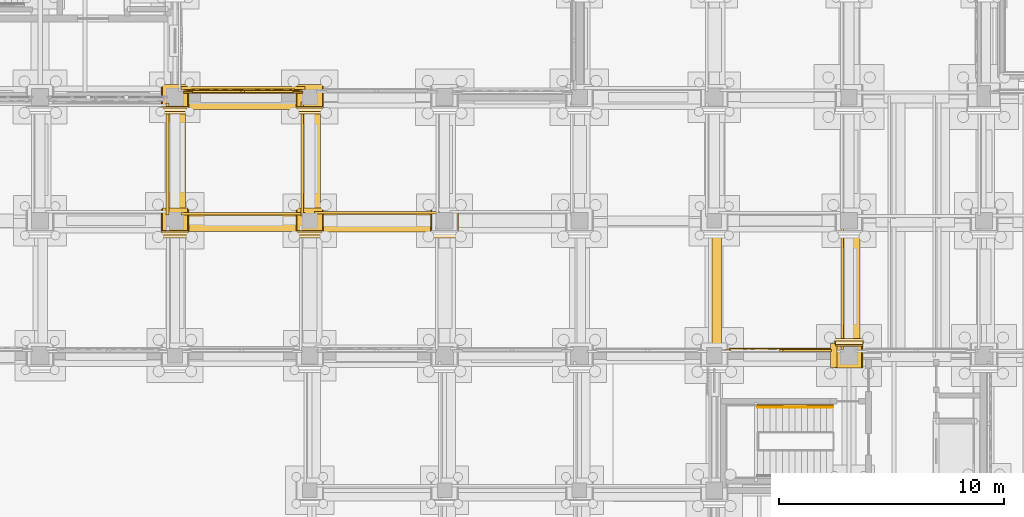
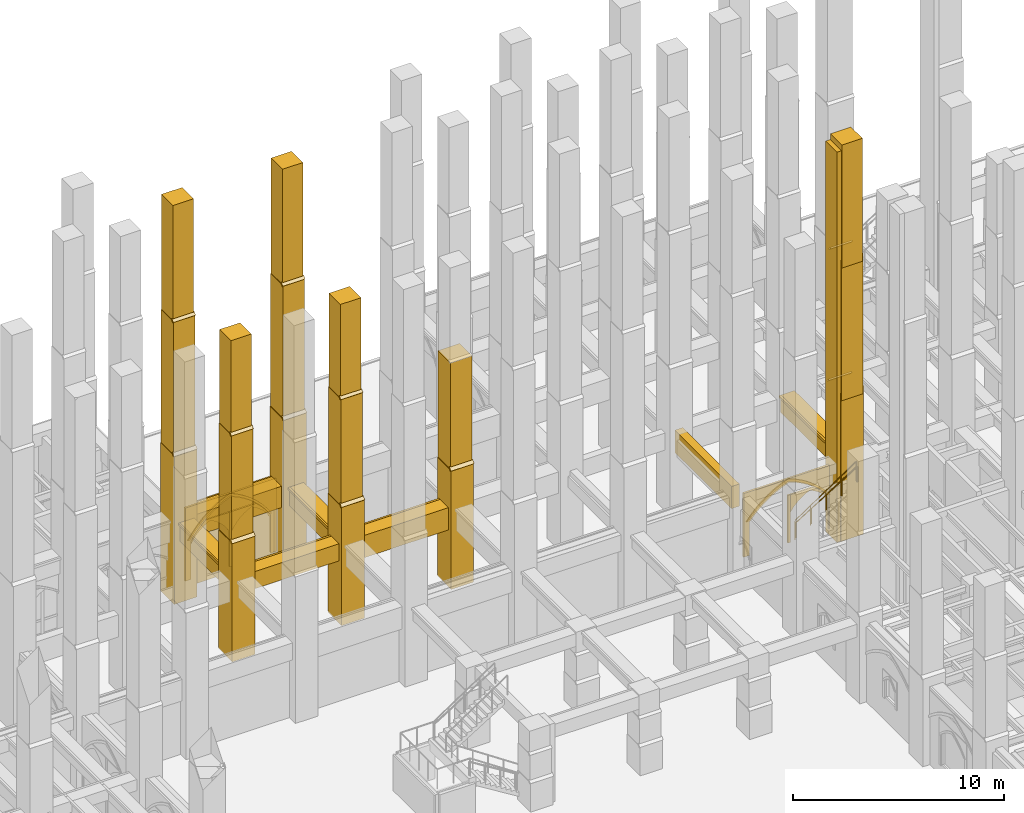
# One storey, part 94 of 135: 52 coverings, 2 railings.
"""IFC4 building model written with IfcOpenShell, lengths in metres."""

from ifc_helpers import new_model, si_unit, direction, frame, origin, origin_2d, place, context, subcontext, project, spatial, polyline, rectangle, circle, outline, extrude, material, type_object, element, save


model = new_model("IFC4")

# Units and contexts
model_context = context("Model", 3, precision=1e-05, world=origin(), true_north=direction((0.0, 1.0)))
body_context = subcontext(model_context, "Body", "Model", "MODEL_VIEW")
ifc_project = project(units=[si_unit("LENGTHUNIT", "METRE"), si_unit("AREAUNIT", "SQUARE_METRE"), si_unit("VOLUMEUNIT", "CUBIC_METRE"), si_unit("PLANEANGLEUNIT", "RADIAN"), si_unit("MASSUNIT", "GRAM", prefix="KILO")], contexts=[model_context])

# Site, building, storey
site_placement = place(None, origin())
site = spatial("IfcSite", under=ifc_project, at=site_placement, CompositionType="ELEMENT")
building_placement = place(site_placement, origin())
building = spatial("IfcBuilding", under=site, at=building_placement, Name="Cumevento Cable Car Station", CompositionType="ELEMENT")
storey_placement = place(building_placement, origin())
storey = spatial("IfcBuildingStorey", under=building, at=storey_placement, Name="L01", CompositionType="ELEMENT", Elevation=0.0)

# Railings
ifc_material_1 = material(Name="Painted Galvanised Architectural Steel", Category="steel")
railing_type_1 = type_object("IfcRailingType", Name="Stair Guardrail GR-S115", PredefinedType="GUARDRAIL", material=ifc_material_1)
railing_1_placement = place(storey_placement, frame((59.919921875, 42.7900390625, 2.25)))
element("IfcRailing", 1, at=railing_1_placement, inside=storey, type_object=railing_type_1, Name="Stair Outer Guardrail ST-01-L01 F2", PredefinedType="GUARDRAIL", context=body_context, shape_type="SweptSolid", body=[
    extrude(circle(Radius=0.02392578125, at=origin_2d()), frame((0.0, 0.0, 1.1259765625), z_axis=(0.830915400975, 0.0, 0.556398774641), x_axis=(0.0, 1.0, 0.0)), (0.0, 0.0, 1.0), 4.0439453125),
    extrude(circle(Radius=0.02001953125, at=origin_2d()), origin(), (0.0, 0.0, 1.0), 1.101806640625),
    extrude(circle(Radius=0.02001953125, at=origin_2d()), frame((0.840087890625, 0.0, 0.5625)), (0.0, 0.0, 1.0), 1.101806640625),
    extrude(circle(Radius=0.02001953125, at=origin_2d()), frame((1.68017578125, 0.0, 1.125)), (0.0, 0.0, 1.0), 1.101806640625),
    extrude(circle(Radius=0.02001953125, at=origin_2d()), frame((2.52001953125, 0.0, 1.6875)), (0.0, 0.0, 1.0), 1.101806640625),
    extrude(circle(Radius=0.02001953125, at=origin_2d()), frame((3.360107421875, 0.0, 2.25)), (0.0, 0.0, 1.0), 1.101806640625),
])
ifc_material_2 = material(Name="Brushed Stainless Steel Handrail Tube", Category="steel")
railing_type_2 = type_object("IfcRailingType", Name="Stair Handrail HR-090", PredefinedType="HANDRAIL", material=ifc_material_2)
railing_2_placement = place(storey_placement, frame((59.919921875, 42.7099609375, 2.42626953125)))
element("IfcRailing", 2, at=railing_2_placement, inside=storey, type_object=railing_type_2, Name="Stair Pitch Handrail ST-01-L01 F2", PredefinedType="HANDRAIL", context=body_context, shape_type="SweptSolid", body=[
    extrude(circle(Radius=0.02099609375, at=origin_2d()), frame((0.0, 0.0, 0.87890625), z_axis=(0.850623216509, 0.0, 0.525775754039), x_axis=(0.0, 1.0, 0.0)), (0.0, 0.0, 1.0), 3.9501953125),
    extrude(circle(Radius=0.01611328125, at=origin_2d()), origin(), (0.0, 0.0, 1.0), 0.85791015625),
    extrude(circle(Radius=0.01611328125, at=origin_2d()), frame((0.840087890625, 0.0, 0.519287109375)), (0.0, 0.0, 1.0), 0.85791015625),
    extrude(circle(Radius=0.01611328125, at=origin_2d()), frame((1.68017578125, 0.0, 1.03857421875)), (0.0, 0.0, 1.0), 0.85791015625),
    extrude(circle(Radius=0.01611328125, at=origin_2d()), frame((2.52001953125, 0.0, 1.5576171875)), (0.0, 0.0, 1.0), 0.85791015625),
    extrude(circle(Radius=0.01611328125, at=origin_2d()), frame((3.360107421875, 0.0, 2.076904296875)), (0.0, 0.0, 1.0), 0.85791015625),
])

# Coverings
ifc_material_3 = material(Name="Gnaisse Facoidal Stone Ashlar 85 MPa", Category="masonry")
covering_type = type_object("IfcCoveringType", Name="Gnaisse Ashlar Cladding CV-CL01", PredefinedType="CLADDING", material=ifc_material_3)
covering_1_placement = place(storey_placement, frame((34.0, 50.909912109375, -0.06005859375), z_axis=(0.0, 0.0, 1.0), x_axis=(1.0, 0.0, 0.0)))
element("IfcCovering", 3, at=covering_1_placement, inside=storey, type_object=covering_type, Name="Stepped Gothic Stone Buttress Tier 1 bt:34.0:51.0", PredefinedType="CLADDING", context=body_context, shape_type="SweptSolid", body=[
    extrude(rectangle(XDim=1.239990234375, YDim=1.300048828125, at=origin_2d()), origin(), (0.0, 0.0, 1.0), 6.885498046875),
])
covering_2_placement = place(storey_placement, frame((33.360107421875, 50.239990234375, 6.8056640625), z_axis=(0.0, -0.711135781079, 0.703054692658), x_axis=(1.0, 0.0, 0.0)))
element("IfcCovering", 4, at=covering_2_placement, inside=storey, type_object=covering_type, Name="Gothic Buttress Sloped Stone Weathering 1 bt:34.0:51.0", PredefinedType="CLADDING", context=body_context, shape_type="SweptSolid", body=[
    extrude(outline(polyline([(0.0, 0.0), (1.27978515625, 0.0), (1.27978515625, 0.24169083397703695), (0.0, 0.24169083397703695), (0.0, 0.0)])), origin(), (0.0, 0.0, -1.0), 0.090087890625),
])
covering_3_placement = place(storey_placement, frame((34.0, 50.969970703125, 6.46337890625), z_axis=(0.0, 0.0, 1.0), x_axis=(1.0, 0.0, 0.0)))
element("IfcCovering", 5, at=covering_3_placement, inside=storey, type_object=covering_type, Name="Stepped Gothic Stone Buttress Tier 2 bt:34.0:51.0", PredefinedType="CLADDING", context=body_context, shape_type="SweptSolid", body=[
    extrude(rectangle(XDim=1.179931640625, YDim=1.179931640625, at=origin_2d()), origin(), (0.0, 0.0, 1.0), 6.523193359375),
])
covering_4_placement = place(storey_placement, frame((33.389892578125, 50.360107421875, 12.96630859375), z_axis=(0.0, -0.714474823669, 0.699661151089), x_axis=(1.0, 0.0, 0.0)))
element("IfcCovering", 6, at=covering_4_placement, inside=storey, type_object=covering_type, Name="Gothic Buttress Sloped Stone Weathering 2 bt:34.0:51.0", PredefinedType="CLADDING", context=body_context, shape_type="SweptSolid", body=[
    extrude(outline(polyline([(0.0, 0.0), (1.22021484375, 0.0), (1.22021484375, 0.21424991728737655), (0.0, 0.21424991728737655), (0.0, 0.0)])), origin(), (0.0, 0.0, -1.0), 0.090087890625),
])
covering_5_placement = place(storey_placement, frame((34.0, 51.02001953125, 12.6240234375), z_axis=(0.0, 0.0, 1.0), x_axis=(1.0, 0.0, 0.0)))
element("IfcCovering", 7, at=covering_5_placement, inside=storey, type_object=covering_type, Name="Stepped Gothic Stone Buttress Tier 3 bt:34.0:51.0", PredefinedType="CLADDING", context=body_context, shape_type="SweptSolid", body=[
    extrude(rectangle(XDim=1.1201171875, YDim=1.080078125, at=origin_2d()), origin(), (0.0, 0.0, 1.0), 5.77587890625),
])
covering_6_placement = place(storey_placement, frame((34.0, 56.409912109375, -0.06005859375), z_axis=(0.0, 0.0, 1.0), x_axis=(1.0, 0.0, 0.0)))
element("IfcCovering", 8, at=covering_6_placement, inside=storey, type_object=covering_type, Name="Stepped Gothic Stone Buttress Tier 1 bt:34.0:56.5", PredefinedType="CLADDING", context=body_context, shape_type="SweptSolid", body=[
    extrude(rectangle(XDim=1.239990234375, YDim=1.300048828125, at=origin_2d()), origin(), (0.0, 0.0, 1.0), 8.595703125),
])
covering_7_placement = place(storey_placement, frame((33.360107421875, 55.739990234375, 8.515625), z_axis=(0.0, -0.711135781079, 0.703054692658), x_axis=(1.0, 0.0, 0.0)))
element("IfcCovering", 9, at=covering_7_placement, inside=storey, type_object=covering_type, Name="Gothic Buttress Sloped Stone Weathering 1 bt:34.0:56.5", PredefinedType="CLADDING", context=body_context, shape_type="SweptSolid", body=[
    extrude(outline(polyline([(0.0, 0.0), (1.27978515625, 0.0), (1.27978515625, 0.24169083397703695), (0.0, 0.24169083397703695), (0.0, 0.0)])), origin(), (0.0, 0.0, -1.0), 0.090087890625),
])
covering_8_placement = place(storey_placement, frame((34.0, 56.469970703125, 8.0830078125), z_axis=(0.0, 0.0, 1.0), x_axis=(1.0, 0.0, 0.0)))
element("IfcCovering", 10, at=covering_8_placement, inside=storey, type_object=covering_type, Name="Stepped Gothic Stone Buttress Tier 2 bt:34.0:56.5", PredefinedType="CLADDING", context=body_context, shape_type="SweptSolid", body=[
    extrude(rectangle(XDim=1.179931640625, YDim=1.179931640625, at=origin_2d()), origin(), (0.0, 0.0, 1.0), 8.143310546875),
])
covering_9_placement = place(storey_placement, frame((33.389892578125, 55.860107421875, 16.206298828125), z_axis=(0.0, -0.714474823669, 0.699661151089), x_axis=(1.0, 0.0, 0.0)))
element("IfcCovering", 11, at=covering_9_placement, inside=storey, type_object=covering_type, Name="Gothic Buttress Sloped Stone Weathering 2 bt:34.0:56.5", PredefinedType="CLADDING", context=body_context, shape_type="SweptSolid", body=[
    extrude(outline(polyline([(0.0, 0.0), (1.22021484375, 0.0), (1.22021484375, 0.21424991728737655), (0.0, 0.21424991728737655), (0.0, 0.0)])), origin(), (0.0, 0.0, -1.0), 0.090087890625),
])
covering_10_placement = place(storey_placement, frame((34.0, 56.52001953125, 15.77392578125), z_axis=(0.0, 0.0, 1.0), x_axis=(1.0, 0.0, 0.0)))
element("IfcCovering", 12, at=covering_10_placement, inside=storey, type_object=covering_type, Name="Stepped Gothic Stone Buttress Tier 3 bt:34.0:56.5", PredefinedType="CLADDING", context=body_context, shape_type="SweptSolid", body=[
    extrude(rectangle(XDim=1.1201171875, YDim=1.080078125, at=origin_2d()), origin(), (0.0, 0.0, 1.0), 7.1259765625),
])
covering_11_placement = place(storey_placement, frame((40.0, 50.909912109375, -0.06005859375), z_axis=(0.0, 0.0, 1.0), x_axis=(1.0, 0.0, 0.0)))
element("IfcCovering", 13, at=covering_11_placement, inside=storey, type_object=covering_type, Name="Stepped Gothic Stone Buttress Tier 1 bt:40.0:51.0", PredefinedType="CLADDING", context=body_context, shape_type="SweptSolid", body=[
    extrude(rectangle(XDim=1.239990234375, YDim=1.300048828125, at=origin_2d()), origin(), (0.0, 0.0, 1.0), 6.885498046875),
])
covering_12_placement = place(storey_placement, frame((39.360107421875, 50.239990234375, 6.8056640625), z_axis=(0.0, -0.711135781079, 0.703054692658), x_axis=(1.0, 0.0, 0.0)))
element("IfcCovering", 14, at=covering_12_placement, inside=storey, type_object=covering_type, Name="Gothic Buttress Sloped Stone Weathering 1 bt:40.0:51.0", PredefinedType="CLADDING", context=body_context, shape_type="SweptSolid", body=[
    extrude(outline(polyline([(0.0, 0.0), (1.27978515625, 0.0), (1.27978515625, 0.24169083397703695), (0.0, 0.24169083397703695), (0.0, 0.0)])), origin(), (0.0, 0.0, -1.0), 0.090087890625),
])
covering_13_placement = place(storey_placement, frame((40.0, 50.969970703125, 6.46337890625), z_axis=(0.0, 0.0, 1.0), x_axis=(1.0, 0.0, 0.0)))
element("IfcCovering", 15, at=covering_13_placement, inside=storey, type_object=covering_type, Name="Stepped Gothic Stone Buttress Tier 2 bt:40.0:51.0", PredefinedType="CLADDING", context=body_context, shape_type="SweptSolid", body=[
    extrude(rectangle(XDim=1.179931640625, YDim=1.179931640625, at=origin_2d()), origin(), (0.0, 0.0, 1.0), 6.523193359375),
])
covering_14_placement = place(storey_placement, frame((39.389892578125, 50.360107421875, 12.96630859375), z_axis=(0.0, -0.714474823669, 0.699661151089), x_axis=(1.0, 0.0, 0.0)))
element("IfcCovering", 16, at=covering_14_placement, inside=storey, type_object=covering_type, Name="Gothic Buttress Sloped Stone Weathering 2 bt:40.0:51.0", PredefinedType="CLADDING", context=body_context, shape_type="SweptSolid", body=[
    extrude(outline(polyline([(0.0, 0.0), (1.22021484375, 0.0), (1.22021484375, 0.21424991728737655), (0.0, 0.21424991728737655), (0.0, 0.0)])), origin(), (0.0, 0.0, -1.0), 0.090087890625),
])
covering_15_placement = place(storey_placement, frame((40.0, 51.02001953125, 12.6240234375), z_axis=(0.0, 0.0, 1.0), x_axis=(1.0, 0.0, 0.0)))
element("IfcCovering", 17, at=covering_15_placement, inside=storey, type_object=covering_type, Name="Stepped Gothic Stone Buttress Tier 3 bt:40.0:51.0", PredefinedType="CLADDING", context=body_context, shape_type="SweptSolid", body=[
    extrude(rectangle(XDim=1.1201171875, YDim=1.080078125, at=origin_2d()), origin(), (0.0, 0.0, 1.0), 5.77587890625),
])
covering_16_placement = place(storey_placement, frame((40.0, 56.409912109375, -0.06005859375), z_axis=(0.0, 0.0, 1.0), x_axis=(1.0, 0.0, 0.0)))
element("IfcCovering", 18, at=covering_16_placement, inside=storey, type_object=covering_type, Name="Stepped Gothic Stone Buttress Tier 1 bt:40.0:56.5", PredefinedType="CLADDING", context=body_context, shape_type="SweptSolid", body=[
    extrude(rectangle(XDim=1.239990234375, YDim=1.300048828125, at=origin_2d()), origin(), (0.0, 0.0, 1.0), 8.595703125),
])
covering_17_placement = place(storey_placement, frame((39.360107421875, 55.739990234375, 8.515625), z_axis=(0.0, -0.711135781079, 0.703054692658), x_axis=(1.0, 0.0, 0.0)))
element("IfcCovering", 19, at=covering_17_placement, inside=storey, type_object=covering_type, Name="Gothic Buttress Sloped Stone Weathering 1 bt:40.0:56.5", PredefinedType="CLADDING", context=body_context, shape_type="SweptSolid", body=[
    extrude(outline(polyline([(0.0, 0.0), (1.27978515625, 0.0), (1.27978515625, 0.24169083397703695), (0.0, 0.24169083397703695), (0.0, 0.0)])), origin(), (0.0, 0.0, -1.0), 0.090087890625),
])
covering_18_placement = place(storey_placement, frame((40.0, 56.469970703125, 8.0830078125), z_axis=(0.0, 0.0, 1.0), x_axis=(1.0, 0.0, 0.0)))
element("IfcCovering", 20, at=covering_18_placement, inside=storey, type_object=covering_type, Name="Stepped Gothic Stone Buttress Tier 2 bt:40.0:56.5", PredefinedType="CLADDING", context=body_context, shape_type="SweptSolid", body=[
    extrude(rectangle(XDim=1.179931640625, YDim=1.179931640625, at=origin_2d()), origin(), (0.0, 0.0, 1.0), 8.143310546875),
])
covering_19_placement = place(storey_placement, frame((39.389892578125, 55.860107421875, 16.206298828125), z_axis=(0.0, -0.714474823669, 0.699661151089), x_axis=(1.0, 0.0, 0.0)))
element("IfcCovering", 21, at=covering_19_placement, inside=storey, type_object=covering_type, Name="Gothic Buttress Sloped Stone Weathering 2 bt:40.0:56.5", PredefinedType="CLADDING", context=body_context, shape_type="SweptSolid", body=[
    extrude(outline(polyline([(0.0, 0.0), (1.22021484375, 0.0), (1.22021484375, 0.21424991728737655), (0.0, 0.21424991728737655), (0.0, 0.0)])), origin(), (0.0, 0.0, -1.0), 0.090087890625),
])
covering_20_placement = place(storey_placement, frame((40.0, 56.52001953125, 15.77392578125), z_axis=(0.0, 0.0, 1.0), x_axis=(1.0, 0.0, 0.0)))
element("IfcCovering", 22, at=covering_20_placement, inside=storey, type_object=covering_type, Name="Stepped Gothic Stone Buttress Tier 3 bt:40.0:56.5", PredefinedType="CLADDING", context=body_context, shape_type="SweptSolid", body=[
    extrude(rectangle(XDim=1.1201171875, YDim=1.080078125, at=origin_2d()), origin(), (0.0, 0.0, 1.0), 7.1259765625),
])
covering_21_placement = place(storey_placement, frame((46.0, 50.909912109375, -0.06005859375), z_axis=(0.0, 0.0, 1.0), x_axis=(1.0, 0.0, 0.0)))
element("IfcCovering", 23, at=covering_21_placement, inside=storey, type_object=covering_type, Name="Stepped Gothic Stone Buttress Tier 1 bt:46.0:51.0", PredefinedType="CLADDING", context=body_context, shape_type="SweptSolid", body=[
    extrude(rectangle(XDim=1.239990234375, YDim=1.300048828125, at=origin_2d()), origin(), (0.0, 0.0, 1.0), 6.885498046875),
])
covering_22_placement = place(storey_placement, frame((45.360107421875, 50.239990234375, 6.8056640625), z_axis=(0.0, -0.711135781079, 0.703054692658), x_axis=(1.0, 0.0, 0.0)))
element("IfcCovering", 24, at=covering_22_placement, inside=storey, type_object=covering_type, Name="Gothic Buttress Sloped Stone Weathering 1 bt:46.0:51.0", PredefinedType="CLADDING", context=body_context, shape_type="SweptSolid", body=[
    extrude(outline(polyline([(0.0, 0.0), (1.27978515625, 0.0), (1.27978515625, 0.24169083397703695), (0.0, 0.24169083397703695), (0.0, 0.0)])), origin(), (0.0, 0.0, -1.0), 0.090087890625),
])
covering_23_placement = place(storey_placement, frame((46.0, 50.969970703125, 6.46337890625), z_axis=(0.0, 0.0, 1.0), x_axis=(1.0, 0.0, 0.0)))
element("IfcCovering", 25, at=covering_23_placement, inside=storey, type_object=covering_type, Name="Stepped Gothic Stone Buttress Tier 2 bt:46.0:51.0", PredefinedType="CLADDING", context=body_context, shape_type="SweptSolid", body=[
    extrude(rectangle(XDim=1.179931640625, YDim=1.179931640625, at=origin_2d()), origin(), (0.0, 0.0, 1.0), 6.523193359375),
])
covering_24_placement = place(storey_placement, frame((64.0, 45.090087890625, -0.06005859375), z_axis=(0.0, 0.0, 1.0), x_axis=(-1.0, 0.0, 0.0)))
element("IfcCovering", 26, at=covering_24_placement, inside=storey, type_object=covering_type, Name="Stepped Gothic Stone Buttress Tier 1 bt:64.0:45.0", PredefinedType="CLADDING", context=body_context, shape_type="SweptSolid", body=[
    extrude(rectangle(XDim=1.239990234375, YDim=1.300048828125, at=origin_2d()), origin(), (0.0, 0.0, 1.0), 8.595703125),
])
covering_25_placement = place(storey_placement, frame((64.639892578125, 45.760009765625, 8.515625), z_axis=(0.0, 0.711135781079, 0.703054692658), x_axis=(-1.0, 0.0, 0.0)))
element("IfcCovering", 27, at=covering_25_placement, inside=storey, type_object=covering_type, Name="Gothic Buttress Sloped Stone Weathering 1 bt:64.0:45.0", PredefinedType="CLADDING", context=body_context, shape_type="SweptSolid", body=[
    extrude(outline(polyline([(0.0, 0.0), (1.27978515625, 0.0), (1.27978515625, 0.24169083397703695), (0.0, 0.24169083397703695), (0.0, 0.0)])), origin(), (0.0, 0.0, -1.0), 0.090087890625),
])
covering_26_placement = place(storey_placement, frame((64.0, 45.030029296875, 8.0830078125), z_axis=(0.0, 0.0, 1.0), x_axis=(-1.0, 0.0, 0.0)))
element("IfcCovering", 28, at=covering_26_placement, inside=storey, type_object=covering_type, Name="Stepped Gothic Stone Buttress Tier 2 bt:64.0:45.0", PredefinedType="CLADDING", context=body_context, shape_type="SweptSolid", body=[
    extrude(rectangle(XDim=1.179931640625, YDim=1.179931640625, at=origin_2d()), origin(), (0.0, 0.0, 1.0), 8.143310546875),
])
covering_27_placement = place(storey_placement, frame((64.610107421875, 45.639892578125, 16.206298828125), z_axis=(0.0, 0.714474823669, 0.699661151089), x_axis=(-1.0, 0.0, 0.0)))
element("IfcCovering", 29, at=covering_27_placement, inside=storey, type_object=covering_type, Name="Gothic Buttress Sloped Stone Weathering 2 bt:64.0:45.0", PredefinedType="CLADDING", context=body_context, shape_type="SweptSolid", body=[
    extrude(outline(polyline([(0.0, 0.0), (1.22021484375, 0.0), (1.22021484375, 0.21424991728737655), (0.0, 0.21424991728737655), (0.0, 0.0)])), origin(), (0.0, 0.0, -1.0), 0.090087890625),
])
covering_28_placement = place(storey_placement, frame((64.0, 44.97998046875, 15.77392578125), z_axis=(0.0, 0.0, 1.0), x_axis=(-1.0, 0.0, 0.0)))
element("IfcCovering", 30, at=covering_28_placement, inside=storey, type_object=covering_type, Name="Stepped Gothic Stone Buttress Tier 3 bt:64.0:45.0", PredefinedType="CLADDING", context=body_context, shape_type="SweptSolid", body=[
    extrude(rectangle(XDim=1.1201171875, YDim=1.080078125, at=origin_2d()), origin(), (0.0, 0.0, 1.0), 7.1259765625),
])
covering_29_placement = place(storey_placement, frame((63.320068359375, 45.0, -0.06005859375), z_axis=(0.0, 0.0, 1.0), x_axis=(1.0, 0.0, 0.0)))
element("IfcCovering", 31, at=covering_29_placement, inside=storey, type_object=covering_type, Name="Corner Buttress Stone Return (64.0,45.0)", PredefinedType="CLADDING", context=body_context, shape_type="SweptSolid", body=[
    extrude(rectangle(XDim=0.280029296875, YDim=1.080078125, at=origin_2d()), origin(), (0.0, 0.0, 1.0), 22.6201171875),
])
covering_30_placement = place(storey_placement, frame((37.02490234375, 50.89990234375, 3.5400390625), z_axis=(0.0, 0.0, 1.0), x_axis=(1.0, 0.0, 0.0)))
element("IfcCovering", 32, at=covering_30_placement, inside=storey, type_object=covering_type, Name="Gothic Stone Spandrel Stringcourse sc:0083", PredefinedType="CLADDING", context=body_context, shape_type="SweptSolid", body=[
    extrude(rectangle(XDim=5.489990234375, YDim=0.760009765625, at=origin_2d()), origin(), (0.0, 0.0, 1.0), 0.989990234375),
])
covering_31_placement = place(storey_placement, frame((37.02490234375, 51.3076171875, 4.400146484375), z_axis=(0.0, 0.0, 1.0), x_axis=(1.0, 0.0, 0.0)))
element("IfcCovering", 33, at=covering_31_placement, inside=storey, type_object=covering_type, Name="Gothic Cornice Dripstone Lip sc:0083", PredefinedType="CLADDING", context=body_context, shape_type="SweptSolid", body=[
    extrude(rectangle(XDim=5.530029296875, YDim=0.114990234375, at=origin_2d()), origin(), (0.0, 0.0, 1.0), 0.1298828125),
])
covering_32_placement = place(storey_placement, frame((42.987548828125, 50.919921875, 3.239990234375), z_axis=(0.0, 0.0, 1.0), x_axis=(1.0, 0.0, 0.0)))
element("IfcCovering", 34, at=covering_32_placement, inside=storey, type_object=covering_type, Name="Gothic Stone Spandrel Stringcourse sc:0084", PredefinedType="CLADDING", context=body_context, shape_type="SweptSolid", body=[
    extrude(rectangle(XDim=5.514892578125, YDim=0.820068359375, at=origin_2d()), origin(), (0.0, 0.0, 1.0), 1.2900390625),
])
covering_33_placement = place(storey_placement, frame((42.987548828125, 51.357421875, 4.400146484375), z_axis=(0.0, 0.0, 1.0), x_axis=(1.0, 0.0, 0.0)))
element("IfcCovering", 35, at=covering_33_placement, inside=storey, type_object=covering_type, Name="Gothic Cornice Dripstone Lip sc:0084", PredefinedType="CLADDING", context=body_context, shape_type="SweptSolid", body=[
    extrude(rectangle(XDim=5.554931640625, YDim=0.114990234375, at=origin_2d()), origin(), (0.0, 0.0, 1.0), 0.1298828125),
])
covering_34_placement = place(storey_placement, frame((37.02490234375, 56.419921875, 3.328125), z_axis=(0.0, 0.0, 1.0), x_axis=(1.0, 0.0, 0.0)))
element("IfcCovering", 36, at=covering_34_placement, inside=storey, type_object=covering_type, Name="Gothic Stone Spandrel Stringcourse sc:0088", PredefinedType="CLADDING", context=body_context, shape_type="SweptSolid", body=[
    extrude(rectangle(XDim=5.489990234375, YDim=0.919921875, at=origin_2d()), origin(), (0.0, 0.0, 1.0), 1.239990234375),
])
covering_35_placement = place(storey_placement, frame((37.02490234375, 56.907470703125, 4.43798828125), z_axis=(0.0, 0.0, 1.0), x_axis=(1.0, 0.0, 0.0)))
element("IfcCovering", 37, at=covering_35_placement, inside=storey, type_object=covering_type, Name="Gothic Cornice Dripstone Lip sc:0088", PredefinedType="CLADDING", context=body_context, shape_type="SweptSolid", body=[
    extrude(rectangle(XDim=5.530029296875, YDim=0.114990234375, at=origin_2d()), origin(), (0.0, 0.0, 1.0), 0.1298828125),
])
covering_36_placement = place(storey_placement, frame((34.08740234375, 53.75, 3.47802734375), z_axis=(0.0, 0.0, 1.0), x_axis=(0.0, 1.0, 0.0)))
element("IfcCovering", 38, at=covering_36_placement, inside=storey, type_object=covering_type, Name="Gothic Stone Spandrel Stringcourse sc:0096", PredefinedType="CLADDING", context=body_context, shape_type="SweptSolid", body=[
    extrude(rectangle(XDim=4.93994140625, YDim=0.784912109375, at=origin_2d()), origin(), (0.0, 0.0, 1.0), 1.090087890625),
])
covering_37_placement = place(storey_placement, frame((33.66748046875, 53.75, 4.43798828125), z_axis=(0.0, 0.0, 1.0), x_axis=(0.0, 1.0, 0.0)))
element("IfcCovering", 39, at=covering_37_placement, inside=storey, type_object=covering_type, Name="Gothic Cornice Dripstone Lip sc:0096", PredefinedType="CLADDING", context=body_context, shape_type="SweptSolid", body=[
    extrude(rectangle(XDim=4.97998046875, YDim=0.114990234375, at=origin_2d()), origin(), (0.0, 0.0, 1.0), 0.1298828125),
])
covering_38_placement = place(storey_placement, frame((40.08740234375, 53.75, 3.43994140625), z_axis=(0.0, 0.0, 1.0), x_axis=(0.0, 1.0, 0.0)))
element("IfcCovering", 40, at=covering_38_placement, inside=storey, type_object=covering_type, Name="Gothic Stone Spandrel Stringcourse sc:0098", PredefinedType="CLADDING", context=body_context, shape_type="SweptSolid", body=[
    extrude(rectangle(XDim=5.0400390625, YDim=0.784912109375, at=origin_2d()), origin(), (0.0, 0.0, 1.0), 1.090087890625),
])
covering_39_placement = place(storey_placement, frame((39.66748046875, 53.75, 4.400146484375), z_axis=(0.0, 0.0, 1.0), x_axis=(0.0, 1.0, 0.0)))
element("IfcCovering", 41, at=covering_39_placement, inside=storey, type_object=covering_type, Name="Gothic Cornice Dripstone Lip sc:0098", PredefinedType="CLADDING", context=body_context, shape_type="SweptSolid", body=[
    extrude(rectangle(XDim=5.080078125, YDim=0.114990234375, at=origin_2d()), origin(), (0.0, 0.0, 1.0), 0.1298828125),
])
covering_40_placement = place(storey_placement, frame((58.114990234375, 48.012451171875, 3.22998046875), z_axis=(0.0, 0.0, 1.0), x_axis=(0.0, 1.0, 0.0)))
element("IfcCovering", 42, at=covering_40_placement, inside=storey, type_object=covering_type, Name="Gothic Stone Spandrel Stringcourse sc:0114", PredefinedType="CLADDING", context=body_context, shape_type="SweptSolid", body=[
    extrude(rectangle(XDim=5.385009765625, YDim=0.429931640625, at=origin_2d()), origin(), (0.0, 0.0, 1.0), 1.2900390625),
])
covering_41_placement = place(storey_placement, frame((64.10009765625, 48.012451171875, 3.5), z_axis=(0.0, 0.0, 1.0), x_axis=(0.0, 1.0, 0.0)))
element("IfcCovering", 43, at=covering_41_placement, inside=storey, type_object=covering_type, Name="Gothic Stone Spandrel Stringcourse sc:0116", PredefinedType="CLADDING", context=body_context, shape_type="SweptSolid", body=[
    extrude(rectangle(XDim=5.465087890625, YDim=0.760009765625, at=origin_2d()), origin(), (0.0, 0.0, 1.0), 0.989990234375),
])
covering_42_placement = place(storey_placement, frame((63.6923828125, 48.012451171875, 4.360107421875), z_axis=(0.0, 0.0, 1.0), x_axis=(0.0, 1.0, 0.0)))
element("IfcCovering", 44, at=covering_42_placement, inside=storey, type_object=covering_type, Name="Gothic Cornice Dripstone Lip sc:0116", PredefinedType="CLADDING", context=body_context, shape_type="SweptSolid", body=[
    extrude(rectangle(XDim=5.5048828125, YDim=0.114990234375, at=origin_2d()), origin(), (0.0, 0.0, 1.0), 0.1298828125),
])
covering_43_placement = place(storey_placement, frame((34.39990234375, 56.5, 0.0), z_axis=(0.0, 0.0, 1.0), x_axis=(1.0, 0.0, 0.0)))
element("IfcCovering", 45, at=covering_43_placement, inside=storey, type_object=covering_type, Name="Exterior Gnaisse Stone Wall Ashlar #16", PredefinedType="CLADDING", context=body_context, shape_type="SweptSolid", body=[
    extrude(outline(polyline([(-0.0400390625, -0.02001953125), (5.2900390625, -0.02001953125), (5.2900390625, 4.52001953125), (-0.0400390625, 4.52001953125), (-0.0400390625, -0.02001953125)])), frame((0.0, 0.262451171875, 0.0), z_axis=(0.0, -1.0, 0.0), x_axis=(1.0, 0.0, 0.0)), (0.0, 0.0, 1.0), 0.0849609375),
])
placement_1 = place(storey_placement, frame((34.580078125, 56.5, 0.300048828125), z_axis=(0.0, 0.0, 1.0), x_axis=(1.0, 0.0, 0.0)))
element("IfcCovering", 46, at=placement_1, inside=storey, type_object=covering_type, Name="Gothic Ogival Pointed-Arch Stone Spandrel blind_ogival:0016", PredefinedType="CLADDING", context=body_context, shape_type="SweptSolid", body=[
    extrude(outline(polyline([(-0.050048828125, 0.0), (-0.050048828125, 4.239990234375), (4.93994140625, 4.239990234375), (4.93994140625, 0.0), (4.6298828125, 0.0), (4.6298828125, 2.219970703125), (4.394287109375, 2.556884765625), (4.12939453125, 2.871337890625), (3.8369140625, 3.160400390625), (3.51953125, 3.421630859375), (3.179931640625, 3.6533203125), (2.82080078125, 3.853271484375), (2.445068359375, 4.02001953125), (2.069091796875, 3.853271484375), (1.7099609375, 3.6533203125), (1.370361328125, 3.421630859375), (1.052978515625, 3.160400390625), (0.760498046875, 2.871337890625), (0.49560546875, 2.556884765625), (0.260009765625, 2.219970703125), (0.260009765625, 0.0), (-0.050048828125, 0.0)])), frame((0.0, 0.3173828125, 0.0), z_axis=(0.0, -1.0, 0.0), x_axis=(1.0, 0.0, 0.0)), (0.0, 0.0, 1.0), 0.110107421875),
])
covering_45_placement = place(storey_placement, frame((34.580078125, 56.5, 2.52001953125), z_axis=(0.0, 0.0, 1.0), x_axis=(1.0, 0.0, 0.0)))
element("IfcCovering", 47, at=covering_45_placement, inside=storey, type_object=covering_type, Name="Gothic Pointed Archivolt Hood Moulding blind_ogival:0016", PredefinedType="CLADDING", context=body_context, shape_type="SweptSolid", body=[
    extrude(outline(polyline([(0.260009765625, 0.0), (0.49560546875, 0.3369140625), (0.760498046875, 0.6513671875), (1.052978515625, 0.9404296875), (1.370361328125, 1.20166015625), (1.7099609375, 1.433349609375), (2.069091796875, 1.63330078125), (2.445068359375, 1.800048828125), (2.82080078125, 1.63330078125), (3.179931640625, 1.433349609375), (3.51953125, 1.20166015625), (3.8369140625, 0.9404296875), (4.12939453125, 0.6513671875), (4.394287109375, 0.3369140625), (4.6298828125, 0.0), (4.7509765625, 0.0), (4.506103515625, 0.3642578125), (4.228759765625, 0.70458984375), (3.921142578125, 1.017822265625), (3.5859375, 1.301513671875), (3.226318359375, 1.552978515625), (2.8447265625, 1.77001953125), (2.445068359375, 1.951171875), (2.045166015625, 1.77001953125), (1.66357421875, 1.552978515625), (1.303955078125, 1.301513671875), (0.96875, 1.017822265625), (0.6611328125, 0.70458984375), (0.3837890625, 0.3642578125), (0.138916015625, 0.0), (0.260009765625, 0.0)])), frame((0.0, 0.359619140625, 0.0), z_axis=(0.0, -1.0, 0.0), x_axis=(1.0, 0.0, 0.0)), (0.0, 0.0, 1.0), 0.06689453125),
])
element("IfcCovering", 48, at=placement_1, inside=storey, type_object=covering_type, Name="Gothic Bifora Stone Colonnette blind_ogival:0016 #1", PredefinedType="CLADDING", context=body_context, shape_type="SweptSolid", body=[
    extrude(outline(polyline([(2.3701171875, -0.02001953125), (2.52001953125, -0.02001953125), (2.52001953125, 3.156005859375), (2.3701171875, 3.156005859375), (2.3701171875, -0.02001953125)])), frame((0.0, 0.305419921875, 0.0), z_axis=(0.0, -1.0, 0.0), x_axis=(1.0, 0.0, 0.0)), (0.0, 0.0, 1.0), 0.094970703125),
])
for number, where, z_axis, x_axis, name in (
    (49, (34.81005859375, 56.5, 2.340087890625), (0.0, 0.0, 1.0), (1.0, 0.0, 0.0), "Gothic Ogival Pointed-Arch Stone Spandrel blind_ogival:0016:sub:0"),
    (50, (37.070068359375, 56.5, 2.340087890625), (0.0, 0.0, 1.0), (1.0, 0.0, 0.0), "Gothic Ogival Pointed-Arch Stone Spandrel blind_ogival:0016:sub:1"),
):
    element("IfcCovering", number, at=place(storey_placement, frame(where, z_axis=z_axis, x_axis=x_axis)), inside=storey, type_object=covering_type, Name=name, PredefinedType="CLADDING", context=body_context, shape_type="SweptSolid", body=[
        extrude(outline(polyline([(-0.02001953125, 0.0), (-0.02001953125, 1.115966796875), (2.18994140625, 1.115966796875), (2.18994140625, 0.0), (2.1298828125, 0.0), (2.008544921875, 0.21337890625), (1.863037109375, 0.4111328125), (1.695556640625, 0.59033203125), (1.50830078125, 0.7490234375), (1.3037109375, 0.885009765625), (1.0849609375, 0.99609375), (0.8662109375, 0.885009765625), (0.66162109375, 0.7490234375), (0.474365234375, 0.59033203125), (0.306884765625, 0.4111328125), (0.161376953125, 0.21337890625), (0.0400390625, 0.0), (-0.02001953125, 0.0)])), frame((0.0, 0.301513671875, 0.0), z_axis=(0.0, -1.0, 0.0), x_axis=(1.0, 0.0, 0.0)), (0.0, 0.0, 1.0), 0.090087890625),
    ])
placement_2 = place(storey_placement, frame((58.530029296875, 45.0, 0.300048828125), z_axis=(0.0, 0.0, 1.0), x_axis=(1.0, 0.0, 0.0)))
element("IfcCovering", 51, at=placement_2, inside=storey, type_object=covering_type, Name="Gothic Ogival Pointed-Arch Stone Spandrel blind_ogival:0136", PredefinedType="CLADDING", context=body_context, shape_type="SweptSolid", body=[
    extrude(outline(polyline([(-0.050048828125, 0.0), (-0.050048828125, 3.697998046875), (4.93994140625, 3.697998046875), (4.93994140625, 0.0), (4.6298828125, 0.0), (4.6298828125, 1.91650390625), (4.377685546875, 2.21240234375), (4.102294921875, 2.48681640625), (3.805419921875, 2.738037109375), (3.489013671875, 2.964111328125), (3.155517578125, 3.16357421875), (2.806640625, 3.335205078125), (2.445068359375, 3.47802734375), (2.083251953125, 3.335205078125), (1.734375, 3.16357421875), (1.40087890625, 2.964111328125), (1.08447265625, 2.738037109375), (0.78759765625, 2.48681640625), (0.51220703125, 2.21240234375), (0.260009765625, 1.91650390625), (0.260009765625, 0.0), (-0.050048828125, 0.0)])), frame((0.0, 0.277587890625, 0.0), z_axis=(0.0, -1.0, 0.0), x_axis=(1.0, 0.0, 0.0)), (0.0, 0.0, 1.0), 0.110107421875),
])
covering_48_placement = place(storey_placement, frame((58.530029296875, 45.0, 2.216552734375), z_axis=(0.0, 0.0, 1.0), x_axis=(1.0, 0.0, 0.0)))
element("IfcCovering", 52, at=covering_48_placement, inside=storey, type_object=covering_type, Name="Gothic Pointed Archivolt Hood Moulding blind_ogival:0136", PredefinedType="CLADDING", context=body_context, shape_type="SweptSolid", body=[
    extrude(outline(polyline([(0.260009765625, 0.0), (0.51220703125, 0.2958984375), (0.78759765625, 0.5703125), (1.08447265625, 0.821533203125), (1.40087890625, 1.047607421875), (1.734375, 1.2470703125), (2.083251953125, 1.418701171875), (2.445068359375, 1.5615234375), (2.806640625, 1.418701171875), (3.155517578125, 1.2470703125), (3.489013671875, 1.047607421875), (3.805419921875, 0.821533203125), (4.102294921875, 0.5703125), (4.377685546875, 0.2958984375), (4.6298828125, 0.0), (4.7509765625, 0.0), (4.4892578125, 0.323486328125), (4.201171875, 0.6240234375), (3.88916015625, 0.8994140625), (3.554931640625, 1.147705078125), (3.201171875, 1.366943359375), (2.830322265625, 1.5556640625), (2.445068359375, 1.712646484375), (2.0595703125, 1.5556640625), (1.688720703125, 1.366943359375), (1.3349609375, 1.147705078125), (1.000732421875, 0.8994140625), (0.688720703125, 0.6240234375), (0.400634765625, 0.323486328125), (0.138916015625, 0.0), (0.260009765625, 0.0)])), frame((0.0, 0.319580078125, 0.0), z_axis=(0.0, -1.0, 0.0), x_axis=(1.0, 0.0, 0.0)), (0.0, 0.0, 1.0), 0.06689453125),
])
element("IfcCovering", 53, at=placement_2, inside=storey, type_object=covering_type, Name="Gothic Bifora Stone Colonnette blind_ogival:0136 #1", PredefinedType="CLADDING", context=body_context, shape_type="SweptSolid", body=[
    extrude(outline(polyline([(2.3701171875, -0.02001953125), (2.52001953125, -0.02001953125), (2.52001953125, 2.728515625), (2.3701171875, 2.728515625), (2.3701171875, -0.02001953125)])), frame((0.0, 0.265380859375, 0.0), z_axis=(0.0, -1.0, 0.0), x_axis=(1.0, 0.0, 0.0)), (0.0, 0.0, 1.0), 0.094970703125),
])
covering_50_placement = place(storey_placement, frame((61.02001953125, 45.0, 2.03662109375), z_axis=(0.0, 0.0, 1.0), x_axis=(1.0, 0.0, 0.0)))
element("IfcCovering", 54, at=covering_50_placement, inside=storey, type_object=covering_type, Name="Gothic Ogival Pointed-Arch Stone Spandrel blind_ogival:0136:sub:1", PredefinedType="CLADDING", context=body_context, shape_type="SweptSolid", body=[
    extrude(outline(polyline([(-0.02001953125, 0.0), (-0.02001953125, 0.991943359375), (2.18994140625, 0.991943359375), (2.18994140625, 0.0), (2.1298828125, 0.0), (1.998046875, 0.189208984375), (1.8466796875, 0.36328125), (1.677734375, 0.520263671875), (1.4931640625, 0.658447265625), (1.294677734375, 0.776123046875), (1.0849609375, 0.8720703125), (0.875244140625, 0.776123046875), (0.6767578125, 0.658447265625), (0.4921875, 0.520263671875), (0.3232421875, 0.36328125), (0.171875, 0.189208984375), (0.0400390625, 0.0), (-0.02001953125, 0.0)])), frame((0.0, 0.261474609375, 0.0), z_axis=(0.0, -1.0, 0.0), x_axis=(1.0, 0.0, 0.0)), (0.0, 0.0, 1.0), 0.090087890625),
])

save(model, "model.ifc")
